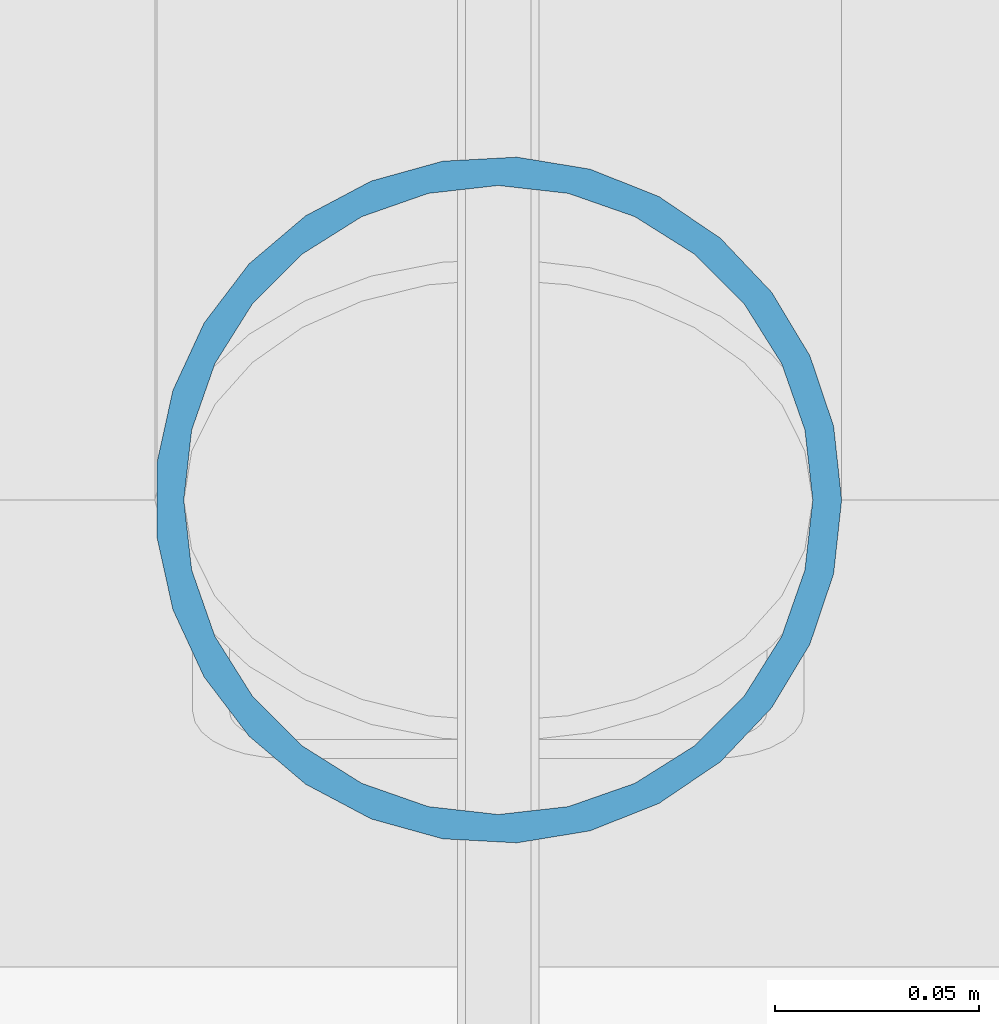
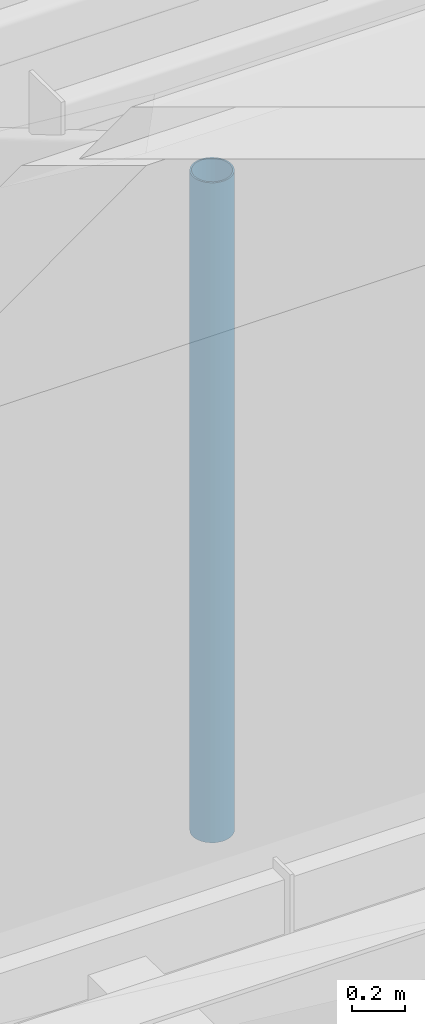
# One storey, part 32 of 55: 1 member.
"""IFC4 building model written with IfcOpenShell, lengths in metres."""

import ifcopenshell
import ifcopenshell.guid

model = None  # the IFC model being written
_history = None  # IfcOwnerHistory: only IFC2X3 demands one
_inside = {}  # id of a spatial element -> (the spatial element, [elements in it])
_under = {}  # id of a project, library or spatial element -> (it, [spatial elements below it])
_declared = {}  # id of a project -> (the project, [libraries it declares])
_typed = {}  # id of a type object -> (the type object, [elements of that type])
_made_of = {}  # id of a material, layer set ... -> (it, [elements and type objects made of it])


def new_model(schema):
    """Start an empty IFC model of exactly this schema.

    Asked for "IFC4X3", IfcOpenShell would pick the latest addendum, in which some entities
    have other attributes; the version numbers below select the first issue.
    IFC2X3 requires an IfcOwnerHistory on every rooted entity: one is made here for all.
    """
    global model, _history
    if schema == "IFC4X3":
        model = ifcopenshell.file(schema_version=(4, 3, 0, 0))
    else:
        model = ifcopenshell.file(schema=schema)
    _inside.clear()
    _under.clear()
    _declared.clear()
    _typed.clear()
    _made_of.clear()
    _history = None
    if model.schema == "IFC2X3":
        org = make("IfcOrganization", Name="unknown")
        user = make(
            "IfcPersonAndOrganization",
            ThePerson=make("IfcPerson", FamilyName="unknown"),
            TheOrganization=org,
        )
        app = make(
            "IfcApplication",
            ApplicationDeveloper=org,
            Version="unknown",
            ApplicationFullName="unknown",
            ApplicationIdentifier="unknown",
        )
        _history = make(
            "IfcOwnerHistory",
            OwningUser=user,
            OwningApplication=app,
            ChangeAction="ADDED",
            CreationDate=0,
        )
    return model


def make(cls, **values):
    """One entity of the class cls with the attributes given. An attribute that is None is left unset."""
    return model.create_entity(
        cls, **{name: value for name, value in values.items() if value is not None}
    )


def rooted(cls, **values):
    """An entity with a GlobalId (a new one), such as an element, a storey or a relation."""
    return make(cls, GlobalId=ifcopenshell.guid.new(), OwnerHistory=_history, **values)


def si_unit(unit_type, name, prefix=None):
    """IfcSIUnit, for example si_unit("LENGTHUNIT", "METRE", prefix="MILLI")."""
    return make("IfcSIUnit", UnitType=unit_type, Prefix=prefix, Name=name)


def assignment(units):
    """IfcUnitAssignment: the units of a project."""
    return None if units is None else make("IfcUnitAssignment", Units=units)


def point(xyz):
    """IfcCartesianPoint."""
    return None if xyz is None else make("IfcCartesianPoint", Coordinates=xyz)


def direction(xyz):
    """IfcDirection."""
    return None if xyz is None else make("IfcDirection", DirectionRatios=xyz)


def frame(location, z_axis=None, x_axis=None):
    """IfcAxis2Placement3D, a coordinate frame: its origin and axes. An axis left out is left unset."""
    return make(
        "IfcAxis2Placement3D",
        Location=point(location),
        Axis=direction(z_axis),
        RefDirection=direction(x_axis),
    )


def frame_2d(location, x_axis=None):
    """IfcAxis2Placement2D, a coordinate frame in the plane: its origin and x axis."""
    return make(
        "IfcAxis2Placement2D", Location=point(location), RefDirection=direction(x_axis)
    )


def origin():
    """The frame at (0, 0, 0) with its axes left unset."""
    return frame((0.0, 0.0, 0.0))


def origin_2d():
    """The frame at (0, 0) in the plane with its x axis left unset."""
    return frame_2d((0.0, 0.0))


def place(relative_to, where):
    """IfcLocalPlacement: puts the frame where relative to a parent placement (None: the world)."""
    return make(
        "IfcLocalPlacement", PlacementRelTo=relative_to, RelativePlacement=where
    )


def context(
    kind, dimensions, precision=None, world=None, true_north=None, identifier=None
):
    """IfcGeometricRepresentationContext, for example the 3D "Model" context."""
    return make(
        "IfcGeometricRepresentationContext",
        ContextIdentifier=identifier,
        ContextType=kind,
        CoordinateSpaceDimension=dimensions,
        Precision=precision,
        WorldCoordinateSystem=world,
        TrueNorth=true_north,
    )


def subcontext(parent, identifier, kind, view, scale=None):
    """IfcGeometricRepresentationSubContext, for example "Body" below "Model"."""
    return make(
        "IfcGeometricRepresentationSubContext",
        ContextIdentifier=identifier,
        ContextType=kind,
        ParentContext=parent,
        TargetScale=scale,
        TargetView=view,
    )


def project(units=None, contexts=None):
    """IfcProject with its units and contexts."""
    return rooted(
        "IfcProject",
        Name="project",
        RepresentationContexts=contexts,
        UnitsInContext=assignment(units),
    )


def spatial(cls, under=None, at=None, **own):
    """A site, building, storey or space (cls), placed at a placement, below another one or the project."""
    s = rooted(cls, ObjectPlacement=at, **own)
    if under is not None:
        _under.setdefault(under.id(), (under, []))[1].append(s)
    return s


def profile(cls, at=None, kind="AREA", **sizes):
    """A parametric profile (cls). Its sizes go by their IFC names, for example OverallWidth=200.0."""
    return make(cls, ProfileType=kind, Position=at, **sizes)


def hollow_circle(**sizes):
    """IfcCircleHollowProfileDef."""
    return profile("IfcCircleHollowProfileDef", **sizes)


def extrude(swept, where, along, depth):
    """IfcExtrudedAreaSolid: the profile swept, set in the frame where, extruded along a direction by depth."""
    return make(
        "IfcExtrudedAreaSolid",
        SweptArea=swept,
        Position=where,
        ExtrudedDirection=direction(along),
        Depth=depth,
    )


def shape(context_of_items, identifier, shape_type, items):
    """IfcShapeRepresentation: the items that make up one representation, for example the "Body"."""
    return make(
        "IfcShapeRepresentation",
        ContextOfItems=context_of_items,
        RepresentationIdentifier=identifier,
        RepresentationType=shape_type,
        Items=items,
    )


def material(Name=None, Category=None):
    """IfcMaterial."""
    return make("IfcMaterial", Name=Name, Category=Category)


def material_profile(
    of_material, cross_section, Name=None, Category=None, Priority=None
):
    """IfcMaterialProfile: a cross section and its material."""
    return make(
        "IfcMaterialProfile",
        Name=Name,
        Material=of_material,
        Profile=cross_section,
        Priority=Priority,
        Category=Category,
    )


def profile_set(profiles, Name=None, composite=None):
    """IfcMaterialProfileSet."""
    return make(
        "IfcMaterialProfileSet",
        Name=Name,
        MaterialProfiles=profiles,
        CompositeProfile=composite,
    )


def made_of(thing, what):
    """Note that an element or type object is made of a material, layer set ...; save() writes the relation."""
    if what is not None:
        _made_of.setdefault(what.id(), (what, []))[1].append(thing)
    return thing


def type_object(cls, material=None, **own):
    """A type object (cls), such as IfcWallType, which elements share."""
    return made_of(rooted(cls, **own), material)


def element(
    cls,
    number,
    at=None,
    inside=None,
    cuts=None,
    type_object=None,
    material=None,
    context=None,
    identifier="Body",
    shape_type=None,
    held_by="IfcProductDefinitionShape",
    body=None,
    shapes=None,
    **own,
):
    """One element of the class cls, such as IfcWall. Its Tag is "e" and its number.

    at: its placement. inside: the storey or other place that contains it. cuts: it is an
    opening in that element (IfcRelVoidsElement). A single representation is given by context,
    identifier, shape_type and body (its items); several are given by shapes. held_by: the class
    of the entity that holds the representations. save() writes the other relations.
    """
    e = rooted(cls, Tag="e%d" % number, ObjectPlacement=at, **own)
    if body is not None:
        shapes = [shape(context, identifier, shape_type, body)]
    if shapes is not None:
        e.Representation = make(held_by, Representations=shapes)
    if inside is not None:
        _inside.setdefault(inside.id(), (inside, []))[1].append(e)
    if cuts is not None:
        rooted(
            "IfcRelVoidsElement", RelatingBuildingElement=cuts, RelatedOpeningElement=e
        )
    if type_object is not None:
        _typed.setdefault(type_object.id(), (type_object, []))[1].append(e)
    return made_of(e, material)


def aggregate(whole, parts):
    """IfcRelAggregates: a whole, such as a stair, and the parts it consists of."""
    return rooted("IfcRelAggregates", RelatingObject=whole, RelatedObjects=parts)


def save(model, path):
    """Write the relations noted so far, then the file.

    IfcRelAggregates (storeys below a building ...), IfcRelContainedInSpatialStructure (elements
    in a storey), IfcRelDefinesByType, IfcRelAssociatesMaterial and IfcRelDeclares: one each for
    every whole, place, type object, material and project.
    """
    for whole, parts in _under.values():
        aggregate(whole, parts)
    for where, things in _inside.values():
        rooted(
            "IfcRelContainedInSpatialStructure",
            RelatedElements=things,
            RelatingStructure=where,
        )
    for kind, things in _typed.values():
        rooted("IfcRelDefinesByType", RelatedObjects=things, RelatingType=kind)
    for what, things in _made_of.values():
        rooted("IfcRelAssociatesMaterial", RelatedObjects=things, RelatingMaterial=what)
    for by, libraries in _declared.values():
        rooted("IfcRelDeclares", RelatingContext=by, RelatedDefinitions=libraries)
    model.write(path)


model = new_model("IFC4")

# Units and contexts
model_context = context("Model", 3, precision=1e-05, world=origin(), true_north=direction((0.0, 1.0)))
body_context = subcontext(model_context, "Body", "Model", "MODEL_VIEW")
ifc_project = project(units=[si_unit("LENGTHUNIT", "METRE"), si_unit("AREAUNIT", "SQUARE_METRE"), si_unit("VOLUMEUNIT", "CUBIC_METRE"), si_unit("PLANEANGLEUNIT", "RADIAN"), si_unit("MASSUNIT", "GRAM", prefix="KILO")], contexts=[model_context])

# Site, building, storey
site_placement = place(None, origin())
site = spatial("IfcSite", under=ifc_project, at=site_placement, CompositionType="ELEMENT")
building_placement = place(site_placement, origin())
building = spatial("IfcBuilding", under=site, at=building_placement, Name="Tameran Prism Museum", CompositionType="ELEMENT")
storey_placement = place(building_placement, frame((0.0, 0.0, 28.800048828125)))
storey = spatial("IfcBuildingStorey", under=building, at=storey_placement, Name="L05", CompositionType="ELEMENT", Elevation=28.800048828125)

# Member
ifc_material = material(Name="Steel Grade C350L0 (350 MPa)", Category="steel")
ifc_material_profile = material_profile(ifc_material, hollow_circle(Radius=0.084228515625, WallThickness=0.007080078125, at=origin_2d()))
ifc_profile_set = profile_set([ifc_material_profile])
member_type = type_object("IfcMemberType", Name="MM-BR-CHS168", PredefinedType="BRACE", material=ifc_profile_set)
member_placement = place(storey_placement, frame((116.133056640625, 100.93994140625, 6.385986328125), z_axis=(0.0, 0.0, 1.0), x_axis=(1.0, 0.0, 0.0)))
element("IfcMember", 1, at=member_placement, inside=storey, type_object=member_type, Name="Sawtooth Brace STM-0150", PredefinedType="BRACE", context=body_context, shape_type="SweptSolid", body=[
    extrude(hollow_circle(Radius=0.084228515625, WallThickness=0.007080078125, at=origin_2d()), origin(), (0.0, 0.0, 1.0), 3.02294921875),
])

save(model, "model.ifc")
